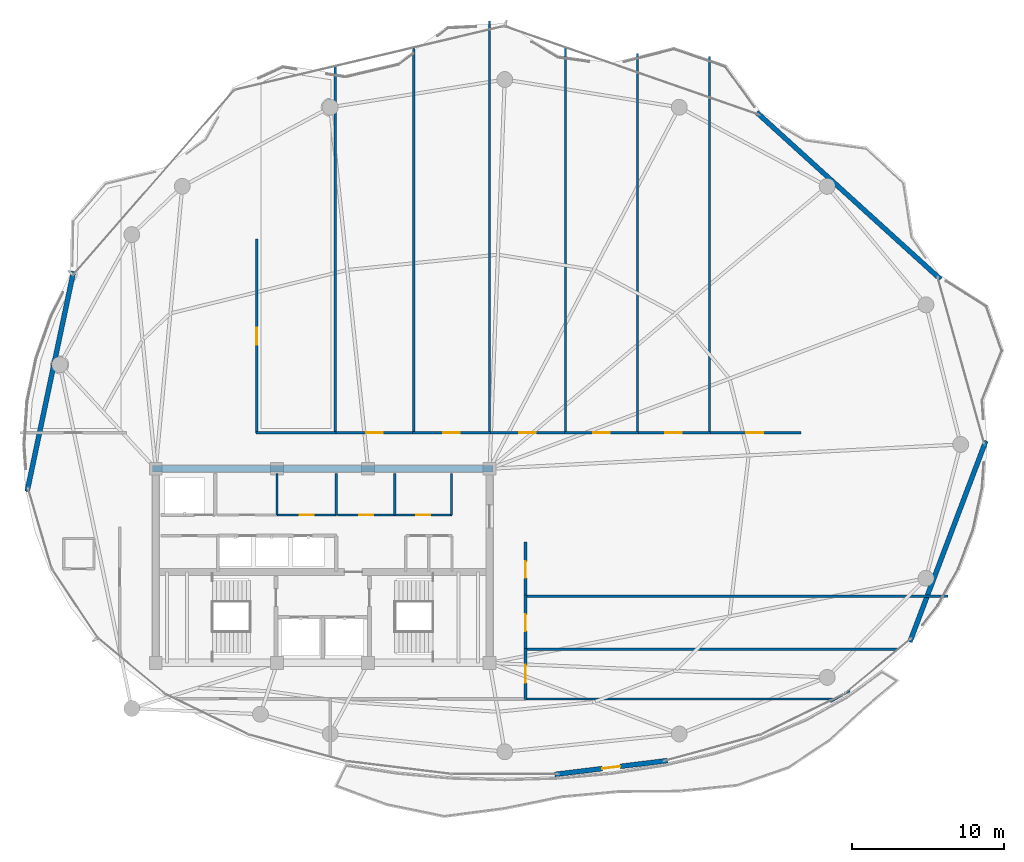
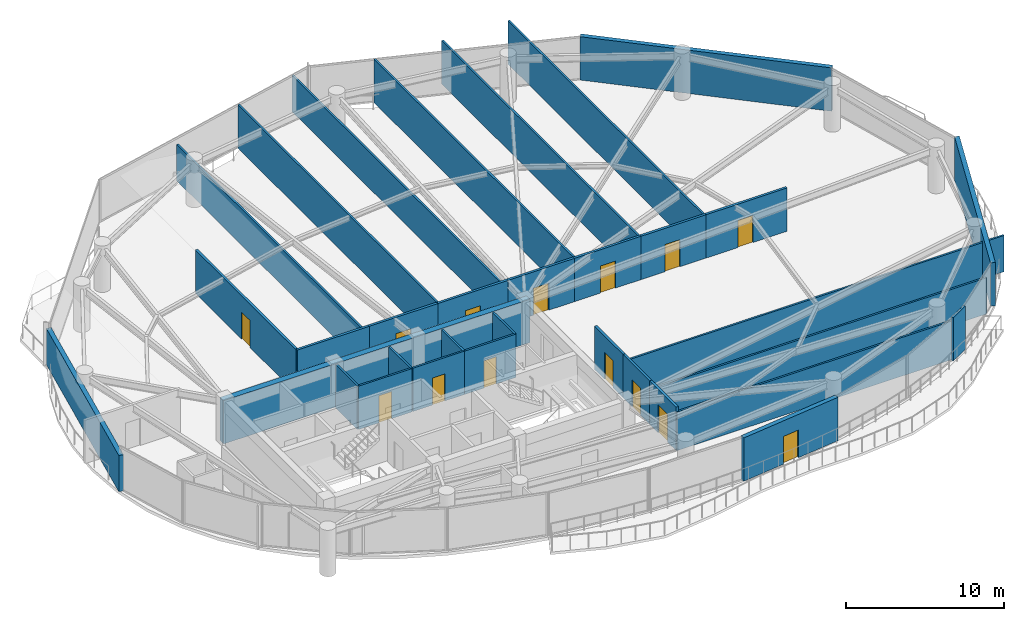
# One storey, part 24 of 28: 33 walls, 14 doors, 14 openings.
"""IFC4 building model written with IfcOpenShell, lengths in metres."""

from ifc_helpers import new_model, si_unit, direction, frame, frame_2d, origin, place, context, subcontext, project, spatial, rectangle, extrude, material, layer, layer_set, type_object, element, fill, save


model = new_model("IFC4")

# Units and contexts
model_context = context("Model", 3, precision=1e-05, world=origin(), true_north=direction((0.0, 1.0)))
body_context = subcontext(model_context, "Body", "Model", "MODEL_VIEW")
ifc_project = project(units=[si_unit("LENGTHUNIT", "METRE"), si_unit("AREAUNIT", "SQUARE_METRE"), si_unit("VOLUMEUNIT", "CUBIC_METRE"), si_unit("PLANEANGLEUNIT", "RADIAN"), si_unit("MASSUNIT", "GRAM", prefix="KILO")], contexts=[model_context])

# Site, building, storey
site_placement = place(None, origin())
site = spatial("IfcSite", under=ifc_project, at=site_placement, CompositionType="ELEMENT")
building_placement = place(site_placement, origin())
building = spatial("IfcBuilding", under=site, at=building_placement, Name="Kazevale Care Tower and Concert Hall", CompositionType="ELEMENT")
storey_placement = place(building_placement, frame((0.0, 0.0, 228.0)))
storey = spatial("IfcBuildingStorey", under=building, at=storey_placement, Name="L60", CompositionType="ELEMENT", Elevation=228.0)

# Wall, opening, door
ifc_material_1 = material(Name="Acoustic Gypsum on Steel Stud", Category="steel")
ifc_layer_1 = layer(ifc_material_1, 0.139892578125)
ifc_layer_set_1 = layer_set([ifc_layer_1], Name="Acoustic Gypsum on Steel Stud")
wall_type_1 = type_object("IfcWallType", Name="Acoustic Care & Suite Partition 140", PredefinedType="PARTITIONING", material=ifc_layer_set_1)
wall_1_placement = place(storey_placement, frame((30.0, 33.35009765625, 0.0), z_axis=(0.0, 0.0, 1.0), x_axis=(1.0, 0.0, 0.0)))
wall_1 = element("IfcWall", 1, at=wall_1_placement, inside=storey, type_object=wall_type_1, Name="wall:L60:c_rpl2_s", PredefinedType="PARTITIONING", context=body_context, shape_type="SweptSolid", body=[
    extrude(rectangle(XDim=3.919921875, YDim=0.139892578125, at=frame_2d((1.9599609375, 0.0))), origin(), (0.0, 0.0, 1.0), 3.360107421875),
])
opening_1_placement = place(wall_1_placement, frame((1.5, 0.0, 0.0)))
opening_1 = element("IfcOpeningElement", 2, at=opening_1_placement, cuts=wall_1, Name="Opening ID-900", PredefinedType="OPENING", context=body_context, shape_type="SweptSolid", body=[
    extrude(rectangle(XDim=0.919921875, YDim=2.10009765625, at=frame_2d((0.4599609375, 1.050048828125))), frame((0.0, 0.079833984375, 0.0), z_axis=(0.0, -1.0, 0.0), x_axis=(1.0, 0.0, 0.0)), (0.0, 0.0, 1.0), 0.159912109375),
])
ifc_material_2 = material(Name="Oak Timber Fire Leaf", Category="wood")
door_type_1 = type_object("IfcDoorType", Name="Bathroom & Service Door 920x2100", OperationType="NOTDEFINED", PredefinedType="DOOR", material=ifc_material_2)
door_1_placement = place(opening_1_placement, origin())
door_1 = element("IfcDoor", 3, at=door_1_placement, inside=storey, type_object=door_type_1, Name="door:L60:d_rpl2", OperationType="SINGLE_SWING_RIGHT", OverallHeight=2.10009765625, OverallWidth=0.919921875, PredefinedType="DOOR", context=body_context, shape_type="SweptSolid", body=[
    extrude(rectangle(XDim=0.919921875, YDim=2.10009765625, at=frame_2d((0.4599609375, 1.050048828125))), frame((0.0, 0.02490234375, 0.0), z_axis=(0.0, -1.0, 0.0), x_axis=(1.0, 0.0, 0.0)), (0.0, 0.0, 1.0), 0.050048828125),
])
fill(opening_1, door_1)

# Walls
for number, where, z_axis, x_axis, name in (
    (4, (30.0, 33.35009765625, 0.0), (0.0, 0.0, 1.0), (0.0, 1.0, 0.0), "wall:L60:c_rpl_m"),
    (5, (33.89990234375, 33.35009765625, 0.0), (0.0, 0.0, 1.0), (0.0, 1.0, 0.0), "wall:L60:c_rpl_e"),
):
    element("IfcWall", number, at=place(storey_placement, frame(where, z_axis=z_axis, x_axis=x_axis)), inside=storey, type_object=wall_type_1, Name=name, PredefinedType="PARTITIONING", context=body_context, shape_type="SweptSolid", body=[
        extrude(rectangle(XDim=2.75, YDim=0.139892578125, at=frame_2d((1.375, 0.0))), origin(), (0.0, 0.0, 1.0), 3.360107421875),
    ])

# Wall, opening, door
wall_2_placement = place(storey_placement, frame((33.97998046875, 33.35009765625, 0.0), z_axis=(0.0, 0.0, 1.0), x_axis=(1.0, 0.0, 0.0)))
wall_2 = element("IfcWall", 6, at=wall_2_placement, inside=storey, type_object=wall_type_1, Name="wall:L60:c_rpm1_s", PredefinedType="PARTITIONING", context=body_context, shape_type="SweptSolid", body=[
    extrude(rectangle(XDim=3.77001953125, YDim=0.139892578125, at=frame_2d((1.885009765625, 0.0))), origin(), (0.0, 0.0, 1.0), 3.360107421875),
])
opening_2_placement = place(wall_2_placement, frame((1.425048828125, 0.0, 0.0)))
opening_2 = element("IfcOpeningElement", 7, at=opening_2_placement, cuts=wall_2, Name="Opening ID-900", PredefinedType="OPENING", context=body_context, shape_type="SweptSolid", body=[
    extrude(rectangle(XDim=0.919921875, YDim=2.10009765625, at=frame_2d((0.4599609375, 1.050048828125))), frame((0.0, 0.079833984375, 0.0), z_axis=(0.0, -1.0, 0.0), x_axis=(1.0, 0.0, 0.0)), (0.0, 0.0, 1.0), 0.159912109375),
])
door_2_placement = place(opening_2_placement, origin())
door_2 = element("IfcDoor", 8, at=door_2_placement, inside=storey, type_object=door_type_1, Name="door:L60:d_rpm1", OperationType="SINGLE_SWING_LEFT", OverallHeight=2.10009765625, OverallWidth=0.919921875, PredefinedType="DOOR", context=body_context, shape_type="SweptSolid", body=[
    extrude(rectangle(XDim=0.919921875, YDim=2.10009765625, at=frame_2d((0.4599609375, 1.050048828125))), frame((0.0, 0.02490234375, 0.0), z_axis=(0.0, -1.0, 0.0), x_axis=(1.0, 0.0, 0.0)), (0.0, 0.0, 1.0), 0.050048828125),
])
fill(opening_2, door_2)

wall_3_placement = place(storey_placement, frame((37.75, 33.35009765625, 0.0), z_axis=(0.0, 0.0, 1.0), x_axis=(1.0, 0.0, 0.0)))
wall_3 = element("IfcWall", 9, at=wall_3_placement, inside=storey, type_object=wall_type_1, Name="wall:L60:c_rpm2_s", PredefinedType="PARTITIONING", context=body_context, shape_type="SweptSolid", body=[
    extrude(rectangle(XDim=3.77001953125, YDim=0.139892578125, at=frame_2d((1.885009765625, 0.0))), origin(), (0.0, 0.0, 1.0), 3.360107421875),
])
opening_3_placement = place(wall_3_placement, frame((1.425048828125, 0.0, 0.0)))
opening_3 = element("IfcOpeningElement", 10, at=opening_3_placement, cuts=wall_3, Name="Opening ID-900", PredefinedType="OPENING", context=body_context, shape_type="SweptSolid", body=[
    extrude(rectangle(XDim=0.919921875, YDim=2.10009765625, at=frame_2d((0.4599609375, 1.050048828125))), frame((0.0, 0.079833984375, 0.0), z_axis=(0.0, -1.0, 0.0), x_axis=(1.0, 0.0, 0.0)), (0.0, 0.0, 1.0), 0.159912109375),
])
door_3_placement = place(opening_3_placement, origin())
door_3 = element("IfcDoor", 11, at=door_3_placement, inside=storey, type_object=door_type_1, Name="door:L60:d_rpm2", OperationType="SINGLE_SWING_RIGHT", OverallHeight=2.10009765625, OverallWidth=0.919921875, PredefinedType="DOOR", context=body_context, shape_type="SweptSolid", body=[
    extrude(rectangle(XDim=0.919921875, YDim=2.10009765625, at=frame_2d((0.4599609375, 1.050048828125))), frame((0.0, 0.02490234375, 0.0), z_axis=(0.0, -1.0, 0.0), x_axis=(1.0, 0.0, 0.0)), (0.0, 0.0, 1.0), 0.050048828125),
])
fill(opening_3, door_3)

# Walls
for number, where, z_axis, x_axis, name in (
    (12, (37.75, 33.35009765625, 0.0), (0.0, 0.0, 1.0), (0.0, 1.0, 0.0), "wall:L60:c_rpm_m"),
    (13, (41.5, 33.35009765625, 0.0), (0.0, 0.0, 1.0), (0.0, 1.0, 0.0), "wall:L60:c_rpm_e"),
):
    element("IfcWall", number, at=place(storey_placement, frame(where, z_axis=z_axis, x_axis=x_axis)), inside=storey, type_object=wall_type_1, Name=name, PredefinedType="PARTITIONING", context=body_context, shape_type="SweptSolid", body=[
        extrude(rectangle(XDim=2.75, YDim=0.139892578125, at=frame_2d((1.375, 0.0))), origin(), (0.0, 0.0, 1.0), 3.360107421875),
    ])
wall_4_placement = place(storey_placement, frame((33.830078125, 62.923583984375, 0.0), z_axis=(0.0, 0.0, 1.0), x_axis=(0.0, -1.0, 0.0)))
element("IfcWall", 14, at=wall_4_placement, inside=storey, type_object=wall_type_1, Name="wall:L60:auto_016", PredefinedType="PARTITIONING", context=body_context, shape_type="SweptSolid", body=[
    extrude(rectangle(XDim=24.178466796875, YDim=0.139892578125, at=frame_2d((12.08935546875, 0.0))), origin(), (0.0, 0.0, 1.0), 2.805908203125),
])
wall_5_placement = place(storey_placement, frame((39.0, 64.10009765625, 0.0), z_axis=(0.0, 0.0, 1.0), x_axis=(0.0, -1.0, 0.0)))
element("IfcWall", 15, at=wall_5_placement, inside=storey, type_object=wall_type_1, Name="wall:L60:auto_017", PredefinedType="PARTITIONING", context=body_context, shape_type="SweptSolid", body=[
    extrude(rectangle(XDim=25.35498046875, YDim=0.139892578125, at=frame_2d((12.677490234375, 0.0))), origin(), (0.0, 0.0, 1.0), 3.360107421875),
])
wall_6_placement = place(storey_placement, frame((44.0, 65.904052734375, 0.0), z_axis=(0.0, 0.0, 1.0), x_axis=(0.0, -1.0, 0.0)))
element("IfcWall", 16, at=wall_6_placement, inside=storey, type_object=wall_type_1, Name="wall:L60:auto_018", PredefinedType="PARTITIONING", context=body_context, shape_type="SweptSolid", body=[
    extrude(rectangle(XDim=27.158935546875, YDim=0.139892578125, at=frame_2d((13.57958984375, 0.0))), origin(), (0.0, 0.0, 1.0), 2.805908203125),
])
wall_7_placement = place(storey_placement, frame((49.0, 64.150390625, 0.0), z_axis=(0.0, 0.0, 1.0), x_axis=(0.0, -1.0, 0.0)))
element("IfcWall", 17, at=wall_7_placement, inside=storey, type_object=wall_type_1, Name="wall:L60:auto_019", PredefinedType="PARTITIONING", context=body_context, shape_type="SweptSolid", body=[
    extrude(rectangle(XDim=25.4052734375, YDim=0.139892578125, at=frame_2d((12.70263671875, 0.0))), origin(), (0.0, 0.0, 1.0), 3.360107421875),
])
wall_8_placement = place(storey_placement, frame((53.75, 63.77490234375, 0.0), z_axis=(0.0, 0.0, 1.0), x_axis=(0.0, -1.0, 0.0)))
element("IfcWall", 18, at=wall_8_placement, inside=storey, type_object=wall_type_1, Name="wall:L60:auto_020", PredefinedType="PARTITIONING", context=body_context, shape_type="SweptSolid", body=[
    extrude(rectangle(XDim=25.02978515625, YDim=0.139892578125, at=frame_2d((12.514892578125, 0.0))), origin(), (0.0, 0.0, 1.0), 3.360107421875),
])
wall_9_placement = place(storey_placement, frame((58.5, 63.5810546875, 0.0), z_axis=(0.0, 0.0, 1.0), x_axis=(0.0, -1.0, 0.0)))
element("IfcWall", 19, at=wall_9_placement, inside=storey, type_object=wall_type_1, Name="wall:L60:auto_021", PredefinedType="PARTITIONING", context=body_context, shape_type="SweptSolid", body=[
    extrude(rectangle(XDim=24.8359375, YDim=0.139892578125, at=frame_2d((12.41796875, 0.0))), origin(), (0.0, 0.0, 1.0), 3.360107421875),
])
wall_10_placement = place(storey_placement, frame((46.344970703125, 24.5, 0.0), z_axis=(0.0, 0.0, 1.0), x_axis=(1.0, 0.0, 0.0)))
element("IfcWall", 20, at=wall_10_placement, inside=storey, type_object=wall_type_1, Name="wall:L60:auto_022", PredefinedType="PARTITIONING", context=body_context, shape_type="SweptSolid", body=[
    extrude(rectangle(XDim=24.560546875, YDim=0.139892578125, at=frame_2d((12.2802734375, 0.0))), origin(), (0.0, 0.0, 1.0), 2.805908203125),
])
wall_11_placement = place(storey_placement, frame((66.683837890625, 21.22509765625, 0.0), z_axis=(0.0, 0.0, 1.0), x_axis=(-1.0, 0.0, 0.0)))
element("IfcWall", 21, at=wall_11_placement, inside=storey, type_object=wall_type_1, Name="wall:L60:auto_023", PredefinedType="PARTITIONING", context=body_context, shape_type="SweptSolid", body=[
    extrude(rectangle(XDim=20.3388671875, YDim=0.139892578125, at=frame_2d((10.16943359375, 0.0))), origin(), (0.0, 0.0, 1.0), 2.99609375),
])
wall_12_placement = place(storey_placement, frame((67.748046875, 21.77001953125, 0.0), z_axis=(0.0, 0.0, 1.0), x_axis=(-0.871352238731, -0.490658003153, 0.0)))
element("IfcWall", 22, at=wall_12_placement, inside=storey, type_object=wall_type_1, Name="wall:L60:auto_024", PredefinedType="PARTITIONING", context=body_context, shape_type="SweptSolid", body=[
    extrude(rectangle(XDim=1.48974609375, YDim=0.139892578125, at=frame_2d((0.744873046875, 0.0))), origin(), (0.0, 0.0, 1.0), 3.360107421875),
])
wall_13_placement = place(storey_placement, frame((46.344970703125, 28.0, 0.0), z_axis=(0.0, 0.0, 1.0), x_axis=(1.0, 0.0, 0.0)))
element("IfcWall", 23, at=wall_13_placement, inside=storey, type_object=wall_type_1, Name="wall:L60:auto_025", PredefinedType="PARTITIONING", context=body_context, shape_type="SweptSolid", body=[
    extrude(rectangle(XDim=27.863037109375, YDim=0.139892578125, at=frame_2d((13.931640625, 0.0))), origin(), (0.0, 0.0, 1.0), 2.805908203125),
])
ifc_material_3 = material(Name="Concrete C50", Category="concrete")
ifc_layer_2 = layer(ifc_material_3, 0.449951171875)
ifc_layer_set_2 = layer_set([ifc_layer_2], Name="Concrete C50")
wall_type_2 = type_object("IfcWallType", Name="Core Shear Wall 450 C50", PredefinedType="SHEAR", material=ifc_layer_set_2)
wall_14_placement = place(storey_placement, frame((21.77490234375, 36.39990234375, 0.0), z_axis=(0.0, 0.0, 1.0), x_axis=(1.0, 0.0, 0.0)))
element("IfcWall", 24, at=wall_14_placement, inside=storey, type_object=wall_type_2, Name="wall:L60:core:N", PredefinedType="SHEAR", context=body_context, shape_type="SweptSolid", body=[
    extrude(rectangle(XDim=22.4501953125, YDim=0.449951171875, at=frame_2d((11.22509765625, 0.0))), origin(), (0.0, 0.0, 1.0), 3.360107421875),
])

# Wall, opening, door
ifc_material_4 = material(Name="Concrete C40 and Acoustic Gypsum", Category="concrete")
ifc_layer_3 = layer(ifc_material_4, 0.179931640625)
ifc_layer_set_3 = layer_set([ifc_layer_3], Name="Concrete C40 and Acoustic Gypsum")
wall_type_3 = type_object("IfcWallType", Name="Fire-Rated Corridor & Party Wall 180", PredefinedType="PARTITIONING", material=ifc_layer_set_3)
wall_15_placement = place(storey_placement, frame((28.64990234375, 51.530029296875, 0.0), z_axis=(0.0, 0.0, 1.0), x_axis=(0.0, -1.0, 0.0)))
wall_15 = element("IfcWall", 25, at=wall_15_placement, inside=storey, type_object=wall_type_3, Name="wall:L60:auto_002", PredefinedType="PARTITIONING", context=body_context, shape_type="SweptSolid", body=[
    extrude(rectangle(XDim=12.784912109375, YDim=0.179931640625, at=frame_2d((6.392578125, 0.0))), origin(), (0.0, 0.0, 1.0), 3.360107421875),
])
opening_4_placement = place(wall_15_placement, frame((5.843017578125, 0.0, 0.0)))
opening_4 = element("IfcOpeningElement", 26, at=opening_4_placement, cuts=wall_15, Name="Opening ID-1100", PredefinedType="OPENING", context=body_context, shape_type="SweptSolid", body=[
    extrude(rectangle(XDim=1.10009765625, YDim=2.10009765625, at=frame_2d((0.550048828125, 1.050048828125))), frame((0.0, 0.099853515625, 0.0), z_axis=(0.0, -1.0, 0.0), x_axis=(1.0, 0.0, 0.0)), (0.0, 0.0, 1.0), 0.199951171875),
])
door_type_2 = type_object("IfcDoorType", Name="Care Bedroom Accessible Door 1100x2100", OperationType="NOTDEFINED", PredefinedType="DOOR", material=ifc_material_2)
door_4_placement = place(opening_4_placement, origin())
door_4 = element("IfcDoor", 27, at=door_4_placement, inside=storey, type_object=door_type_2, Name="door:L60:ad_002", OperationType="SINGLE_SWING_LEFT", OverallHeight=2.10009765625, OverallWidth=1.10009765625, PredefinedType="DOOR", context=body_context, shape_type="SweptSolid", body=[
    extrude(rectangle(XDim=1.10009765625, YDim=2.10009765625, at=frame_2d((0.550048828125, 1.050048828125))), frame((0.0, 0.02490234375, 0.0), z_axis=(0.0, -1.0, 0.0), x_axis=(1.0, 0.0, 0.0)), (0.0, 0.0, 1.0), 0.050048828125),
])
fill(opening_4, door_4)

# Wall
wall_16_placement = place(storey_placement, frame((28.6201171875, 38.77490234375, 0.0), z_axis=(0.0, 0.0, 1.0), x_axis=(1.0, 0.0, 0.0)))
element("IfcWall", 28, at=wall_16_placement, inside=storey, type_object=wall_type_3, Name="wall:L60:auto_003", PredefinedType="PARTITIONING", context=body_context, shape_type="SweptSolid", body=[
    extrude(rectangle(XDim=5.27490234375, YDim=0.179931640625, at=frame_2d((2.637451171875, 0.0))), origin(), (0.0, 0.0, 1.0), 3.360107421875),
])

# Wall, opening, door
wall_17_placement = place(storey_placement, frame((33.764892578125, 38.77490234375, 0.0), z_axis=(0.0, 0.0, 1.0), x_axis=(1.0, 0.0, 0.0)))
wall_17 = element("IfcWall", 29, at=wall_17_placement, inside=storey, type_object=wall_type_3, Name="wall:L60:auto_004", PredefinedType="PARTITIONING", context=body_context, shape_type="SweptSolid", body=[
    extrude(rectangle(XDim=5.300048828125, YDim=0.179931640625, at=frame_2d((2.64990234375, 0.0))), origin(), (0.0, 0.0, 1.0), 3.360107421875),
])
opening_5_placement = place(wall_17_placement, frame((2.10009765625, 0.0, 0.0)))
opening_5 = element("IfcOpeningElement", 30, at=opening_5_placement, cuts=wall_17, Name="Opening ID-1100", PredefinedType="OPENING", context=body_context, shape_type="SweptSolid", body=[
    extrude(rectangle(XDim=1.10009765625, YDim=2.10009765625, at=frame_2d((0.550048828125, 1.050048828125))), frame((0.0, 0.099853515625, 0.0), z_axis=(0.0, -1.0, 0.0), x_axis=(1.0, 0.0, 0.0)), (0.0, 0.0, 1.0), 0.199951171875),
])
door_5_placement = place(opening_5_placement, origin())
door_5 = element("IfcDoor", 31, at=door_5_placement, inside=storey, type_object=door_type_2, Name="door:L60:ad_004", OperationType="SINGLE_SWING_LEFT", OverallHeight=2.10009765625, OverallWidth=1.10009765625, PredefinedType="DOOR", context=body_context, shape_type="SweptSolid", body=[
    extrude(rectangle(XDim=1.10009765625, YDim=2.10009765625, at=frame_2d((0.550048828125, 1.050048828125))), frame((0.0, 0.02490234375, 0.0), z_axis=(0.0, -1.0, 0.0), x_axis=(1.0, 0.0, 0.0)), (0.0, 0.0, 1.0), 0.050048828125),
])
fill(opening_5, door_5)

wall_18_placement = place(storey_placement, frame((38.93505859375, 38.77490234375, 0.0), z_axis=(0.0, 0.0, 1.0), x_axis=(1.0, 0.0, 0.0)))
wall_18 = element("IfcWall", 32, at=wall_18_placement, inside=storey, type_object=wall_type_3, Name="wall:L60:auto_005", PredefinedType="PARTITIONING", context=body_context, shape_type="SweptSolid", body=[
    extrude(rectangle(XDim=5.1298828125, YDim=0.179931640625, at=frame_2d((2.56494140625, 0.0))), origin(), (0.0, 0.0, 1.0), 3.360107421875),
])
opening_6_placement = place(wall_18_placement, frame((2.014892578125, 0.0, 0.0)))
opening_6 = element("IfcOpeningElement", 33, at=opening_6_placement, cuts=wall_18, Name="Opening ID-1100", PredefinedType="OPENING", context=body_context, shape_type="SweptSolid", body=[
    extrude(rectangle(XDim=1.10009765625, YDim=2.10009765625, at=frame_2d((0.550048828125, 1.050048828125))), frame((0.0, 0.099853515625, 0.0), z_axis=(0.0, -1.0, 0.0), x_axis=(1.0, 0.0, 0.0)), (0.0, 0.0, 1.0), 0.199951171875),
])
door_6_placement = place(opening_6_placement, origin())
door_6 = element("IfcDoor", 34, at=door_6_placement, inside=storey, type_object=door_type_2, Name="door:L60:ad_005", OperationType="SINGLE_SWING_LEFT", OverallHeight=2.10009765625, OverallWidth=1.10009765625, PredefinedType="DOOR", context=body_context, shape_type="SweptSolid", body=[
    extrude(rectangle(XDim=1.10009765625, YDim=2.10009765625, at=frame_2d((0.550048828125, 1.050048828125))), frame((0.0, 0.02490234375, 0.0), z_axis=(0.0, -1.0, 0.0), x_axis=(1.0, 0.0, 0.0)), (0.0, 0.0, 1.0), 0.050048828125),
])
fill(opening_6, door_6)

wall_19_placement = place(storey_placement, frame((43.93505859375, 38.77490234375, 0.0), z_axis=(0.0, 0.0, 1.0), x_axis=(1.0, 0.0, 0.0)))
wall_19 = element("IfcWall", 35, at=wall_19_placement, inside=storey, type_object=wall_type_3, Name="wall:L60:auto_006", PredefinedType="PARTITIONING", context=body_context, shape_type="SweptSolid", body=[
    extrude(rectangle(XDim=5.1298828125, YDim=0.179931640625, at=frame_2d((2.56494140625, 0.0))), origin(), (0.0, 0.0, 1.0), 3.360107421875),
])
opening_7_placement = place(wall_19_placement, frame((2.014892578125, 0.0, 0.0)))
opening_7 = element("IfcOpeningElement", 36, at=opening_7_placement, cuts=wall_19, Name="Opening ID-1100", PredefinedType="OPENING", context=body_context, shape_type="SweptSolid", body=[
    extrude(rectangle(XDim=1.10009765625, YDim=2.10009765625, at=frame_2d((0.550048828125, 1.050048828125))), frame((0.0, 0.099853515625, 0.0), z_axis=(0.0, -1.0, 0.0), x_axis=(1.0, 0.0, 0.0)), (0.0, 0.0, 1.0), 0.199951171875),
])
door_7_placement = place(opening_7_placement, origin())
door_7 = element("IfcDoor", 37, at=door_7_placement, inside=storey, type_object=door_type_2, Name="door:L60:ad_006", OperationType="SINGLE_SWING_LEFT", OverallHeight=2.10009765625, OverallWidth=1.10009765625, PredefinedType="DOOR", context=body_context, shape_type="SweptSolid", body=[
    extrude(rectangle(XDim=1.10009765625, YDim=2.10009765625, at=frame_2d((0.550048828125, 1.050048828125))), frame((0.0, 0.02490234375, 0.0), z_axis=(0.0, -1.0, 0.0), x_axis=(1.0, 0.0, 0.0)), (0.0, 0.0, 1.0), 0.050048828125),
])
fill(opening_7, door_7)

wall_20_placement = place(storey_placement, frame((48.93505859375, 38.77490234375, 0.0), z_axis=(0.0, 0.0, 1.0), x_axis=(1.0, 0.0, 0.0)))
wall_20 = element("IfcWall", 38, at=wall_20_placement, inside=storey, type_object=wall_type_3, Name="wall:L60:auto_007", PredefinedType="PARTITIONING", context=body_context, shape_type="SweptSolid", body=[
    extrude(rectangle(XDim=4.8798828125, YDim=0.179931640625, at=frame_2d((2.43994140625, 0.0))), origin(), (0.0, 0.0, 1.0), 3.360107421875),
])
opening_8_placement = place(wall_20_placement, frame((1.889892578125, 0.0, 0.0)))
opening_8 = element("IfcOpeningElement", 39, at=opening_8_placement, cuts=wall_20, Name="Opening ID-1100", PredefinedType="OPENING", context=body_context, shape_type="SweptSolid", body=[
    extrude(rectangle(XDim=1.10009765625, YDim=2.10009765625, at=frame_2d((0.550048828125, 1.050048828125))), frame((0.0, 0.099853515625, 0.0), z_axis=(0.0, -1.0, 0.0), x_axis=(1.0, 0.0, 0.0)), (0.0, 0.0, 1.0), 0.199951171875),
])
door_8_placement = place(opening_8_placement, origin())
door_8 = element("IfcDoor", 40, at=door_8_placement, inside=storey, type_object=door_type_2, Name="door:L60:ad_007", OperationType="SINGLE_SWING_LEFT", OverallHeight=2.10009765625, OverallWidth=1.10009765625, PredefinedType="DOOR", context=body_context, shape_type="SweptSolid", body=[
    extrude(rectangle(XDim=1.10009765625, YDim=2.10009765625, at=frame_2d((0.550048828125, 1.050048828125))), frame((0.0, 0.02490234375, 0.0), z_axis=(0.0, -1.0, 0.0), x_axis=(1.0, 0.0, 0.0)), (0.0, 0.0, 1.0), 0.050048828125),
])
fill(opening_8, door_8)

wall_21_placement = place(storey_placement, frame((53.68505859375, 38.77490234375, 0.0), z_axis=(0.0, 0.0, 1.0), x_axis=(1.0, 0.0, 0.0)))
wall_21 = element("IfcWall", 41, at=wall_21_placement, inside=storey, type_object=wall_type_3, Name="wall:L60:auto_008", PredefinedType="PARTITIONING", context=body_context, shape_type="SweptSolid", body=[
    extrude(rectangle(XDim=4.8798828125, YDim=0.179931640625, at=frame_2d((2.43994140625, 0.0))), origin(), (0.0, 0.0, 1.0), 3.360107421875),
])
opening_9_placement = place(wall_21_placement, frame((1.889892578125, 0.0, 0.0)))
opening_9 = element("IfcOpeningElement", 42, at=opening_9_placement, cuts=wall_21, Name="Opening ID-1100", PredefinedType="OPENING", context=body_context, shape_type="SweptSolid", body=[
    extrude(rectangle(XDim=1.10009765625, YDim=2.10009765625, at=frame_2d((0.550048828125, 1.050048828125))), frame((0.0, 0.099853515625, 0.0), z_axis=(0.0, -1.0, 0.0), x_axis=(1.0, 0.0, 0.0)), (0.0, 0.0, 1.0), 0.199951171875),
])
door_9_placement = place(opening_9_placement, origin())
door_9 = element("IfcDoor", 43, at=door_9_placement, inside=storey, type_object=door_type_2, Name="door:L60:ad_008", OperationType="SINGLE_SWING_LEFT", OverallHeight=2.10009765625, OverallWidth=1.10009765625, PredefinedType="DOOR", context=body_context, shape_type="SweptSolid", body=[
    extrude(rectangle(XDim=1.10009765625, YDim=2.10009765625, at=frame_2d((0.550048828125, 1.050048828125))), frame((0.0, 0.02490234375, 0.0), z_axis=(0.0, -1.0, 0.0), x_axis=(1.0, 0.0, 0.0)), (0.0, 0.0, 1.0), 0.050048828125),
])
fill(opening_9, door_9)

wall_22_placement = place(storey_placement, frame((58.43505859375, 38.77490234375, 0.0), z_axis=(0.0, 0.0, 1.0), x_axis=(1.0, 0.0, 0.0)))
wall_22 = element("IfcWall", 44, at=wall_22_placement, inside=storey, type_object=wall_type_3, Name="wall:L60:auto_009", PredefinedType="PARTITIONING", context=body_context, shape_type="SweptSolid", body=[
    extrude(rectangle(XDim=6.094970703125, YDim=0.179931640625, at=frame_2d((3.04736328125, 0.0))), origin(), (0.0, 0.0, 1.0), 3.360107421875),
])
opening_10_placement = place(wall_22_placement, frame((2.4970703125, 0.0, 0.0)))
opening_10 = element("IfcOpeningElement", 45, at=opening_10_placement, cuts=wall_22, Name="Opening ID-1100", PredefinedType="OPENING", context=body_context, shape_type="SweptSolid", body=[
    extrude(rectangle(XDim=1.10009765625, YDim=2.10009765625, at=frame_2d((0.550048828125, 1.050048828125))), frame((0.0, 0.099853515625, 0.0), z_axis=(0.0, -1.0, 0.0), x_axis=(1.0, 0.0, 0.0)), (0.0, 0.0, 1.0), 0.199951171875),
])
door_10_placement = place(opening_10_placement, origin())
door_10 = element("IfcDoor", 46, at=door_10_placement, inside=storey, type_object=door_type_2, Name="door:L60:ad_009", OperationType="SINGLE_SWING_LEFT", OverallHeight=2.10009765625, OverallWidth=1.10009765625, PredefinedType="DOOR", context=body_context, shape_type="SweptSolid", body=[
    extrude(rectangle(XDim=1.10009765625, YDim=2.10009765625, at=frame_2d((0.550048828125, 1.050048828125))), frame((0.0, 0.02490234375, 0.0), z_axis=(0.0, -1.0, 0.0), x_axis=(1.0, 0.0, 0.0)), (0.0, 0.0, 1.0), 0.050048828125),
])
fill(opening_10, door_10)

wall_23_placement = place(storey_placement, frame((46.375, 24.56494140625, 0.0), z_axis=(0.0, 0.0, 1.0), x_axis=(0.0, -1.0, 0.0)))
wall_23 = element("IfcWall", 47, at=wall_23_placement, inside=storey, type_object=wall_type_3, Name="wall:L60:auto_010", PredefinedType="PARTITIONING", context=body_context, shape_type="SweptSolid", body=[
    extrude(rectangle(XDim=3.369873046875, YDim=0.179931640625, at=frame_2d((1.68505859375, 0.0))), origin(), (0.0, 0.0, 1.0), 3.360107421875),
])
opening_11_placement = place(wall_23_placement, frame((1.0849609375, 0.0, 0.0)))
opening_11 = element("IfcOpeningElement", 48, at=opening_11_placement, cuts=wall_23, Name="Opening ID-1200", PredefinedType="OPENING", context=body_context, shape_type="SweptSolid", body=[
    extrude(rectangle(XDim=1.199951171875, YDim=2.14990234375, at=frame_2d((0.60009765625, 1.074951171875))), frame((0.0, 0.099853515625, 0.0), z_axis=(0.0, -1.0, 0.0), x_axis=(1.0, 0.0, 0.0)), (0.0, 0.0, 1.0), 0.199951171875),
])
door_type_3 = type_object("IfcDoorType", Name="Clinical & Therapy Door 1200x2150", OperationType="NOTDEFINED", PredefinedType="DOOR", material=ifc_material_2)
door_11_placement = place(opening_11_placement, origin())
door_11 = element("IfcDoor", 49, at=door_11_placement, inside=storey, type_object=door_type_3, Name="door:L60:ad_010", OperationType="SINGLE_SWING_LEFT", OverallHeight=2.14990234375, OverallWidth=1.199951171875, PredefinedType="DOOR", context=body_context, shape_type="SweptSolid", body=[
    extrude(rectangle(XDim=1.199951171875, YDim=2.14990234375, at=frame_2d((0.60009765625, 1.074951171875))), frame((0.0, 0.02490234375, 0.0), z_axis=(0.0, -1.0, 0.0), x_axis=(1.0, 0.0, 0.0)), (0.0, 0.0, 1.0), 0.050048828125),
])
fill(opening_11, door_11)

wall_24_placement = place(storey_placement, frame((46.375, 28.06494140625, 0.0), z_axis=(0.0, 0.0, 1.0), x_axis=(0.0, -1.0, 0.0)))
wall_24 = element("IfcWall", 50, at=wall_24_placement, inside=storey, type_object=wall_type_3, Name="wall:L60:auto_011", PredefinedType="PARTITIONING", context=body_context, shape_type="SweptSolid", body=[
    extrude(rectangle(XDim=3.6298828125, YDim=0.179931640625, at=frame_2d((1.81494140625, 0.0))), origin(), (0.0, 0.0, 1.0), 3.360107421875),
])
opening_12_placement = place(wall_24_placement, frame((1.264892578125, 0.0, 0.0)))
opening_12 = element("IfcOpeningElement", 51, at=opening_12_placement, cuts=wall_24, Name="Opening ID-1100", PredefinedType="OPENING", context=body_context, shape_type="SweptSolid", body=[
    extrude(rectangle(XDim=1.10009765625, YDim=2.10009765625, at=frame_2d((0.550048828125, 1.050048828125))), frame((0.0, 0.099853515625, 0.0), z_axis=(0.0, -1.0, 0.0), x_axis=(1.0, 0.0, 0.0)), (0.0, 0.0, 1.0), 0.199951171875),
])
door_12_placement = place(opening_12_placement, origin())
door_12 = element("IfcDoor", 52, at=door_12_placement, inside=storey, type_object=door_type_2, Name="door:L60:ad_011", OperationType="SINGLE_SWING_LEFT", OverallHeight=2.10009765625, OverallWidth=1.10009765625, PredefinedType="DOOR", context=body_context, shape_type="SweptSolid", body=[
    extrude(rectangle(XDim=1.10009765625, YDim=2.10009765625, at=frame_2d((0.550048828125, 1.050048828125))), frame((0.0, 0.02490234375, 0.0), z_axis=(0.0, -1.0, 0.0), x_axis=(1.0, 0.0, 0.0)), (0.0, 0.0, 1.0), 0.050048828125),
])
fill(opening_12, door_12)

wall_25_placement = place(storey_placement, frame((46.375, 31.56494140625, 0.0), z_axis=(0.0, 0.0, 1.0), x_axis=(0.0, -1.0, 0.0)))
wall_25 = element("IfcWall", 53, at=wall_25_placement, inside=storey, type_object=wall_type_3, Name="wall:L60:auto_012", PredefinedType="PARTITIONING", context=body_context, shape_type="SweptSolid", body=[
    extrude(rectangle(XDim=3.6298828125, YDim=0.179931640625, at=frame_2d((1.81494140625, 0.0))), origin(), (0.0, 0.0, 1.0), 3.360107421875),
])
opening_13_placement = place(wall_25_placement, frame((1.264892578125, 0.0, 0.0)))
opening_13 = element("IfcOpeningElement", 54, at=opening_13_placement, cuts=wall_25, Name="Opening ID-1100", PredefinedType="OPENING", context=body_context, shape_type="SweptSolid", body=[
    extrude(rectangle(XDim=1.10009765625, YDim=2.10009765625, at=frame_2d((0.550048828125, 1.050048828125))), frame((0.0, 0.099853515625, 0.0), z_axis=(0.0, -1.0, 0.0), x_axis=(1.0, 0.0, 0.0)), (0.0, 0.0, 1.0), 0.199951171875),
])
door_13_placement = place(opening_13_placement, origin())
door_13 = element("IfcDoor", 55, at=door_13_placement, inside=storey, type_object=door_type_2, Name="door:L60:ad_012", OperationType="SINGLE_SWING_LEFT", OverallHeight=2.10009765625, OverallWidth=1.10009765625, PredefinedType="DOOR", context=body_context, shape_type="SweptSolid", body=[
    extrude(rectangle(XDim=1.10009765625, YDim=2.10009765625, at=frame_2d((0.550048828125, 1.050048828125))), frame((0.0, 0.02490234375, 0.0), z_axis=(0.0, -1.0, 0.0), x_axis=(1.0, 0.0, 0.0)), (0.0, 0.0, 1.0), 0.050048828125),
])
fill(opening_13, door_13)

# Wall
ifc_material_5 = material(Name="Concrete C40 with Honed Limestone Cladding", Category="masonry")
ifc_layer_4 = layer(ifc_material_5, 0.320068359375)
ifc_layer_set_4 = layer_set([ifc_layer_4], Name="Concrete C40 with Honed Limestone Cladding")
wall_type_4 = type_object("IfcWallType", Name="Tower Honed Limestone Spandrel Wall 320", PredefinedType="STANDARD", material=ifc_layer_set_4)
wall_26_placement = place(storey_placement, frame((76.7119140625, 38.242919921875, 0.0), z_axis=(0.0, 0.0, 1.0), x_axis=(-0.353659523244, -0.935374225441, 0.0)))
element("IfcWall", 56, at=wall_26_placement, inside=storey, type_object=wall_type_4, Name="wall:cw:L60:f01", PredefinedType="STANDARD", context=body_context, shape_type="SweptSolid", body=[
    extrude(rectangle(XDim=14.171630859375, YDim=0.320068359375, at=frame_2d((7.0859375, 0.0))), origin(), (0.0, 0.0, 1.0), 3.360107421875),
])

# Wall, opening, door
wall_27_placement = place(storey_placement, frame((55.72705078125, 17.1650390625, 0.0), z_axis=(0.0, 0.0, 1.0), x_axis=(-0.992559081031, -0.121763995755, 0.0)))
wall_27 = element("IfcWall", 57, at=wall_27_placement, inside=storey, type_object=wall_type_4, Name="wall:L60:bal_host", PredefinedType="STANDARD", context=body_context, shape_type="SweptSolid", body=[
    extrude(rectangle(XDim=7.49072265625, YDim=0.320068359375, at=frame_2d((3.745361328125, 0.0))), origin(), (0.0, 0.0, 1.0), 3.360107421875),
])
opening_14_placement = place(wall_27_placement, frame((3.14501953125, 0.0, 0.0)))
opening_14 = element("IfcOpeningElement", 58, at=opening_14_placement, cuts=wall_27, Name="Opening BD-1200", PredefinedType="OPENING", context=body_context, shape_type="SweptSolid", body=[
    extrude(rectangle(XDim=1.199951171875, YDim=2.14990234375, at=frame_2d((0.60009765625, 1.074951171875))), frame((0.0, 0.169921875, 0.0), z_axis=(0.0, -1.0, 0.0), x_axis=(1.0, 0.0, 0.0)), (0.0, 0.0, 1.0), 0.340087890625),
])
ifc_material_6 = material(Name="Aluminium 6063-T6 and Low-E Glass", Category="aluminium")
door_type_4 = type_object("IfcDoorType", Name="Sheltered Balcony Glazed Door 1200x2150", OperationType="NOTDEFINED", PredefinedType="DOOR", material=ifc_material_6)
door_14_placement = place(opening_14_placement, origin())
door_14 = element("IfcDoor", 59, at=door_14_placement, inside=storey, type_object=door_type_4, Name="door:L60:BD-1", OperationType="SINGLE_SWING_LEFT", OverallHeight=2.14990234375, OverallWidth=1.199951171875, PredefinedType="DOOR", context=body_context, shape_type="SweptSolid", body=[
    extrude(rectangle(XDim=1.199951171875, YDim=2.14990234375, at=frame_2d((0.60009765625, 1.074951171875))), frame((0.0, 0.02490234375, 0.0), z_axis=(0.0, -1.0, 0.0), x_axis=(1.0, 0.0, 0.0)), (0.0, 0.0, 1.0), 0.050048828125),
])
fill(opening_14, door_14)

# Walls
wall_28_placement = place(storey_placement, frame((13.52490234375, 34.903076171875, 0.0), z_axis=(0.0, 0.0, 1.0), x_axis=(0.206301080321, 0.978488561128, 0.0)))
element("IfcWall", 60, at=wall_28_placement, inside=storey, type_object=wall_type_4, Name="wall:cw:L60:f13", PredefinedType="STANDARD", context=body_context, shape_type="SweptSolid", body=[
    extrude(rectangle(XDim=14.81884765625, YDim=0.320068359375, at=frame_2d((7.409423828125, 0.0))), origin(), (0.0, 0.0, 1.0), 2.805908203125),
])
wall_29_placement = place(storey_placement, frame((61.60205078125, 59.884033203125, 0.0), z_axis=(0.0, 0.0, 1.0), x_axis=(0.740416582554, -0.672148260638, 0.0)))
element("IfcWall", 61, at=wall_29_placement, inside=storey, type_object=wall_type_4, Name="wall:cw:L60:f17", PredefinedType="STANDARD", context=body_context, shape_type="SweptSolid", body=[
    extrude(rectangle(XDim=16.361083984375, YDim=0.320068359375, at=frame_2d((8.1806640625, 0.0))), origin(), (0.0, 0.0, 1.0), 3.360107421875),
])

save(model, "model.ifc")
